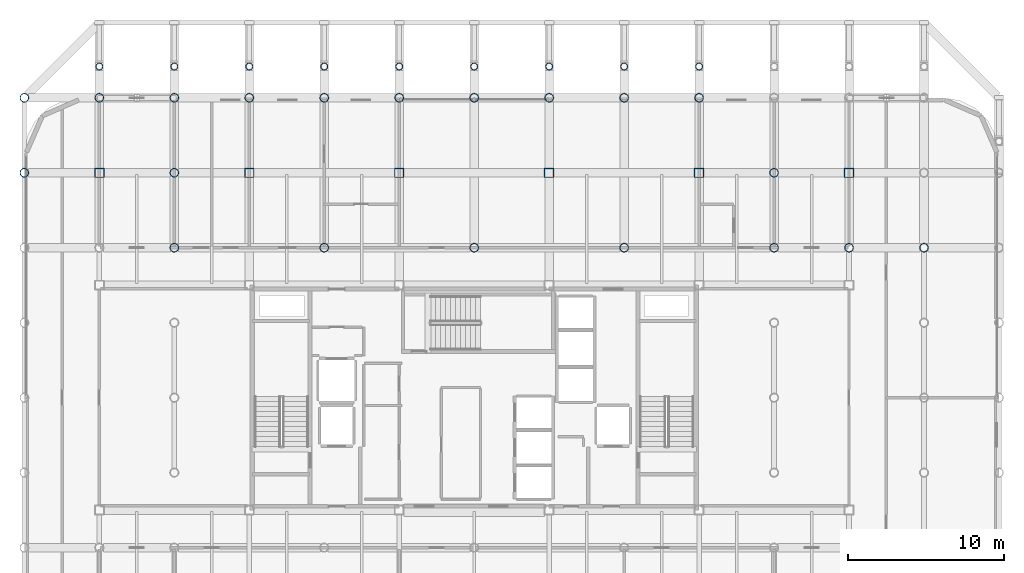
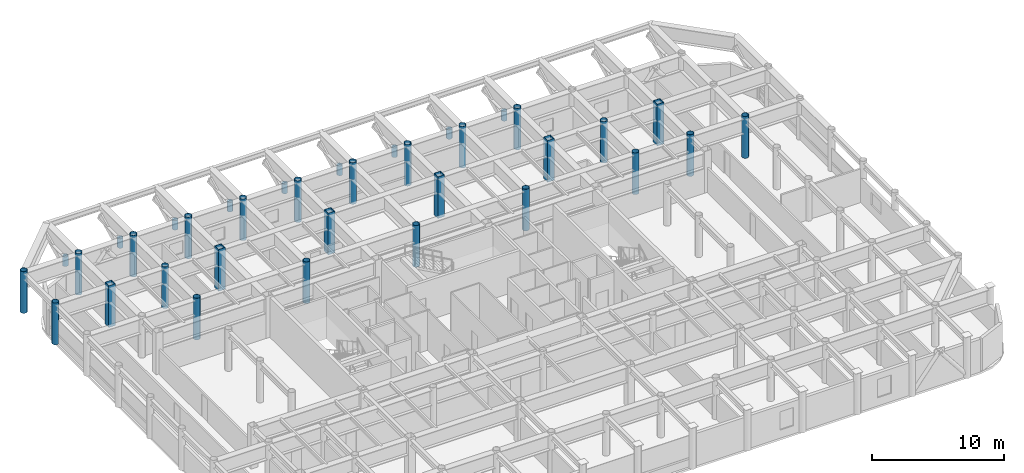
# One storey, part 2 of 24: 35 columns.
"""IFC4 building model written with IfcOpenShell, lengths in metres."""

from ifc_helpers import new_model, si_unit, direction, frame, origin, origin_2d, place, context, subcontext, project, spatial, hollow_rectangle, hollow_circle, extrude, material, material_profile, profile_set, type_object, element, save


model = new_model("IFC4")

# Units and contexts
model_context = context("Model", 3, precision=1e-05, world=origin(), true_north=direction((0.0, 1.0)))
body_context = subcontext(model_context, "Body", "Model", "MODEL_VIEW")
ifc_project = project(units=[si_unit("LENGTHUNIT", "METRE"), si_unit("AREAUNIT", "SQUARE_METRE"), si_unit("VOLUMEUNIT", "CUBIC_METRE"), si_unit("PLANEANGLEUNIT", "RADIAN"), si_unit("MASSUNIT", "GRAM", prefix="KILO")], contexts=[model_context])

# Site, building, storey
site_placement = place(None, origin())
site = spatial("IfcSite", under=ifc_project, at=site_placement, CompositionType="ELEMENT")
building_placement = place(site_placement, origin())
building = spatial("IfcBuilding", under=site, at=building_placement, Name="Kallvorn Hotel Tower", CompositionType="ELEMENT")
storey_placement = place(building_placement, frame((0.0, 0.0, 218.449951171875)))
storey = spatial("IfcBuildingStorey", under=building, at=storey_placement, Name="L54", CompositionType="ELEMENT", Elevation=218.449951171875)

# Columns
ifc_material_1 = material(Name="Structural steel S355J2H", Category="steel")
ifc_material_profile_1 = material_profile(ifc_material_1, hollow_circle(Radius=0.228515625, WallThickness=0.02001953125, at=origin_2d()), Name="CHS 457x20")
ifc_profile_set_1 = profile_set([ifc_material_profile_1], Name="Structural steel S355J2H")
column_type_1 = type_object("IfcColumnType", Name="COL_CHS_457", PredefinedType="COLUMN", material=ifc_profile_set_1)
for number, where, z_axis, x_axis, name in (
    (1, (-24.0, 21.199951171875, 1.400146484375), (0.0, 0.0, 1.0), (1.0, 0.0, 0.0), "L55 Cantilever Haunch Prop Column 01"),
    (2, (-19.199951171875, 21.199951171875, 1.400146484375), (0.0, 0.0, 1.0), (1.0, 0.0, 0.0), "L55 Cantilever Haunch Prop Column 02"),
    (3, (-14.39990234375, 21.199951171875, 1.400146484375), (0.0, 0.0, 1.0), (1.0, 0.0, 0.0), "L55 Cantilever Haunch Prop Column 03"),
    (4, (-9.60009765625, 21.199951171875, 1.400146484375), (0.0, 0.0, 1.0), (1.0, 0.0, 0.0), "L55 Cantilever Haunch Prop Column 04"),
    (5, (-4.800048828125, 21.199951171875, 1.400146484375), (0.0, 0.0, 1.0), (1.0, 0.0, 0.0), "L55 Cantilever Haunch Prop Column 05"),
    (6, (0.0, 21.199951171875, 1.400146484375), (0.0, 0.0, 1.0), (1.0, 0.0, 0.0), "L55 Cantilever Haunch Prop Column 06"),
    (7, (4.800048828125, 21.199951171875, 1.400146484375), (0.0, 0.0, 1.0), (1.0, 0.0, 0.0), "L55 Cantilever Haunch Prop Column 07"),
    (8, (9.60009765625, 21.199951171875, 1.400146484375), (0.0, 0.0, 1.0), (1.0, 0.0, 0.0), "L55 Cantilever Haunch Prop Column 08"),
    (9, (14.39990234375, 21.199951171875, 1.400146484375), (0.0, 0.0, 1.0), (1.0, 0.0, 0.0), "L55 Cantilever Haunch Prop Column 09"),
):
    element("IfcColumn", number, at=place(storey_placement, frame(where, z_axis=z_axis, x_axis=x_axis)), inside=storey, type_object=column_type_1, Name=name, PredefinedType="COLUMN", context=body_context, shape_type="SweptSolid", body=[
        extrude(hollow_circle(Radius=0.228515625, WallThickness=0.02001953125, at=origin_2d()), origin(), (0.0, 0.0, 1.0), 0.889892578125),
    ])
ifc_material_2 = material(Name="Structural steel S355J2H", Category="steel")
ifc_material_profile_2 = material_profile(ifc_material_2, hollow_circle(Radius=0.279541015625, WallThickness=0.02490234375, at=origin_2d()), Name="CHS 559x25")
ifc_profile_set_2 = profile_set([ifc_material_profile_2], Name="Structural steel S355J2H")
column_type_2 = type_object("IfcColumnType", Name="COL_CHS_559", PredefinedType="COLUMN", material=ifc_profile_set_2)
for number, where, z_axis, x_axis, name in (
    (10, (-28.800048828125, 14.39990234375, 0.0), (0.0, 0.0, 1.0), (1.0, 0.0, 0.0), "L54 Exoskeleton Column EC08"),
    (11, (-28.800048828125, 19.199951171875, 0.0), (0.0, 0.0, 1.0), (1.0, 0.0, 0.0), "L54 Exoskeleton Column EC09"),
    (12, (-24.0, 19.199951171875, 0.0), (0.0, 0.0, 1.0), (1.0, 0.0, 0.0), "L54 Exoskeleton Column EC14"),
    (13, (-19.199951171875, 9.60009765625, 0.0), (0.0, 0.0, 1.0), (1.0, 0.0, 0.0), "L54 Exoskeleton Column EC22"),
    (14, (-19.199951171875, 14.39990234375, 0.0), (0.0, 0.0, 1.0), (1.0, 0.0, 0.0), "L54 Exoskeleton Column EC23"),
    (15, (-19.199951171875, 19.199951171875, 0.0), (0.0, 0.0, 1.0), (1.0, 0.0, 0.0), "L54 Exoskeleton Column EC24"),
    (16, (-14.39990234375, 19.199951171875, 0.0), (0.0, 0.0, 1.0), (1.0, 0.0, 0.0), "L54 Exoskeleton Column EC27"),
    (17, (-9.60009765625, 9.60009765625, 0.0), (0.0, 0.0, 1.0), (1.0, 0.0, 0.0), "L54 Exoskeleton Column EC31"),
    (18, (-9.60009765625, 19.199951171875, 0.0), (0.0, 0.0, 1.0), (1.0, 0.0, 0.0), "L54 Exoskeleton Column EC32"),
    (19, (-4.800048828125, 19.199951171875, 0.0), (0.0, 0.0, 1.0), (1.0, 0.0, 0.0), "L54 Exoskeleton Column EC35"),
    (20, (0.0, 9.60009765625, 0.0), (0.0, 0.0, 1.0), (1.0, 0.0, 0.0), "L54 Exoskeleton Column EC39"),
    (21, (0.0, 19.199951171875, 0.0), (0.0, 0.0, 1.0), (1.0, 0.0, 0.0), "L54 Exoskeleton Column EC40"),
    (22, (4.800048828125, 19.199951171875, 0.0), (0.0, 0.0, 1.0), (1.0, 0.0, 0.0), "L54 Exoskeleton Column EC43"),
    (23, (9.60009765625, 9.60009765625, 0.0), (0.0, 0.0, 1.0), (1.0, 0.0, 0.0), "L54 Exoskeleton Column EC47"),
    (24, (9.60009765625, 19.199951171875, 0.0), (0.0, 0.0, 1.0), (1.0, 0.0, 0.0), "L54 Exoskeleton Column EC48"),
    (25, (14.39990234375, 19.199951171875, 0.0), (0.0, 0.0, 1.0), (1.0, 0.0, 0.0), "L54 Exoskeleton Column EC51"),
    (26, (19.199951171875, 9.60009765625, 0.0), (0.0, 0.0, 1.0), (1.0, 0.0, 0.0), "L54 Exoskeleton Column EC59"),
    (27, (19.199951171875, 14.39990234375, 0.0), (0.0, 0.0, 1.0), (1.0, 0.0, 0.0), "L54 Exoskeleton Column EC60"),
    (28, (24.0, 9.60009765625, 0.0), (0.0, 0.0, 1.0), (1.0, 0.0, 0.0), "L54 Exoskeleton Column EC65"),
    (29, (28.800048828125, 9.60009765625, 0.0), (0.0, 0.0, 1.0), (1.0, 0.0, 0.0), "L54 Exoskeleton Column EC74"),
):
    element("IfcColumn", number, at=place(storey_placement, frame(where, z_axis=z_axis, x_axis=x_axis)), inside=storey, type_object=column_type_2, Name=name, PredefinedType="COLUMN", context=body_context, shape_type="SweptSolid", body=[
        extrude(hollow_circle(Radius=0.279541015625, WallThickness=0.02490234375, at=origin_2d()), origin(), (0.0, 0.0, 1.0), 3.85009765625),
    ])
ifc_material_3 = material(Name="Structural steel S355J2H", Category="steel")
ifc_material_profile_3 = material_profile(ifc_material_3, hollow_rectangle(XDim=0.60009765625, YDim=0.60009765625, WallThickness=0.028076171875, at=origin_2d()), Name="RHS 600x600x28")
ifc_profile_set_3 = profile_set([ifc_material_profile_3], Name="Structural steel S355J2H")
column_type_3 = type_object("IfcColumnType", Name="COL_RHS_600", PredefinedType="COLUMN", material=ifc_profile_set_3)
for number, where, z_axis, x_axis, name in (
    (30, (-24.0, 14.39990234375, 0.0), (0.0, 0.0, 1.0), (1.0, 0.0, 0.0), "L54 Inner Column IC04"),
    (31, (-14.39990234375, 14.39990234375, 0.0), (0.0, 0.0, 1.0), (1.0, 0.0, 0.0), "L54 Inner Column IC08"),
    (32, (-4.800048828125, 14.39990234375, 0.0), (0.0, 0.0, 1.0), (1.0, 0.0, 0.0), "L54 Inner Column IC12"),
    (33, (4.800048828125, 14.39990234375, 0.0), (0.0, 0.0, 1.0), (1.0, 0.0, 0.0), "L54 Inner Column IC16"),
    (34, (14.39990234375, 14.39990234375, 0.0), (0.0, 0.0, 1.0), (1.0, 0.0, 0.0), "L54 Inner Column IC20"),
    (35, (24.0, 14.39990234375, 0.0), (0.0, 0.0, 1.0), (1.0, 0.0, 0.0), "L54 Inner Column IC24"),
):
    element("IfcColumn", number, at=place(storey_placement, frame(where, z_axis=z_axis, x_axis=x_axis)), inside=storey, type_object=column_type_3, Name=name, PredefinedType="COLUMN", context=body_context, shape_type="SweptSolid", body=[
        extrude(hollow_rectangle(XDim=0.60009765625, YDim=0.60009765625, WallThickness=0.028076171875, at=origin_2d()), origin(), (0.0, 0.0, 1.0), 3.85009765625),
    ])

save(model, "model.ifc")
